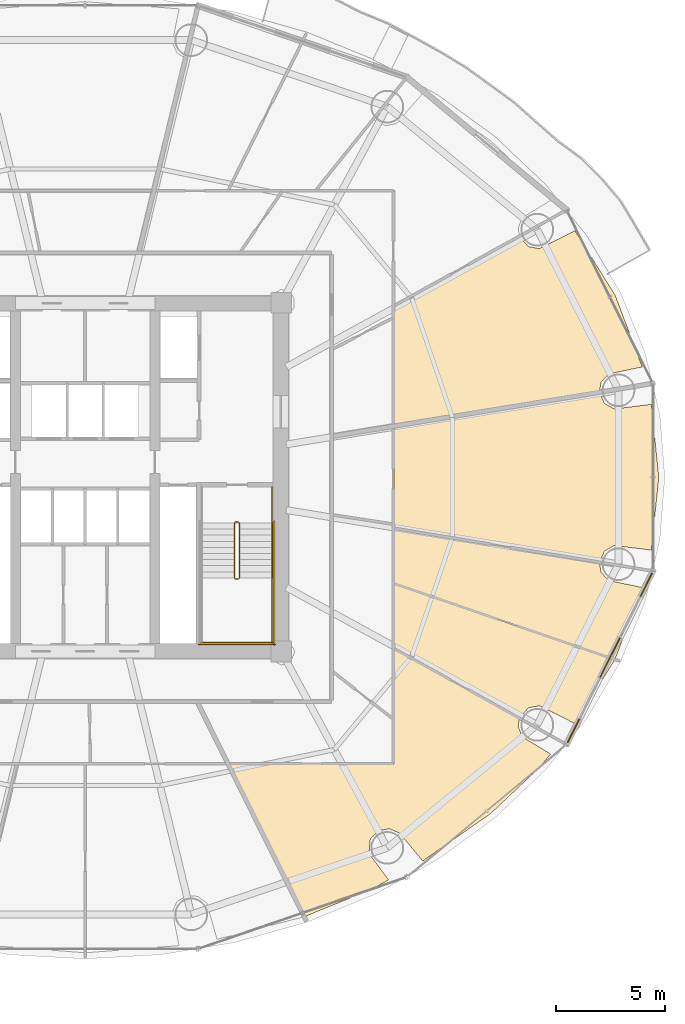
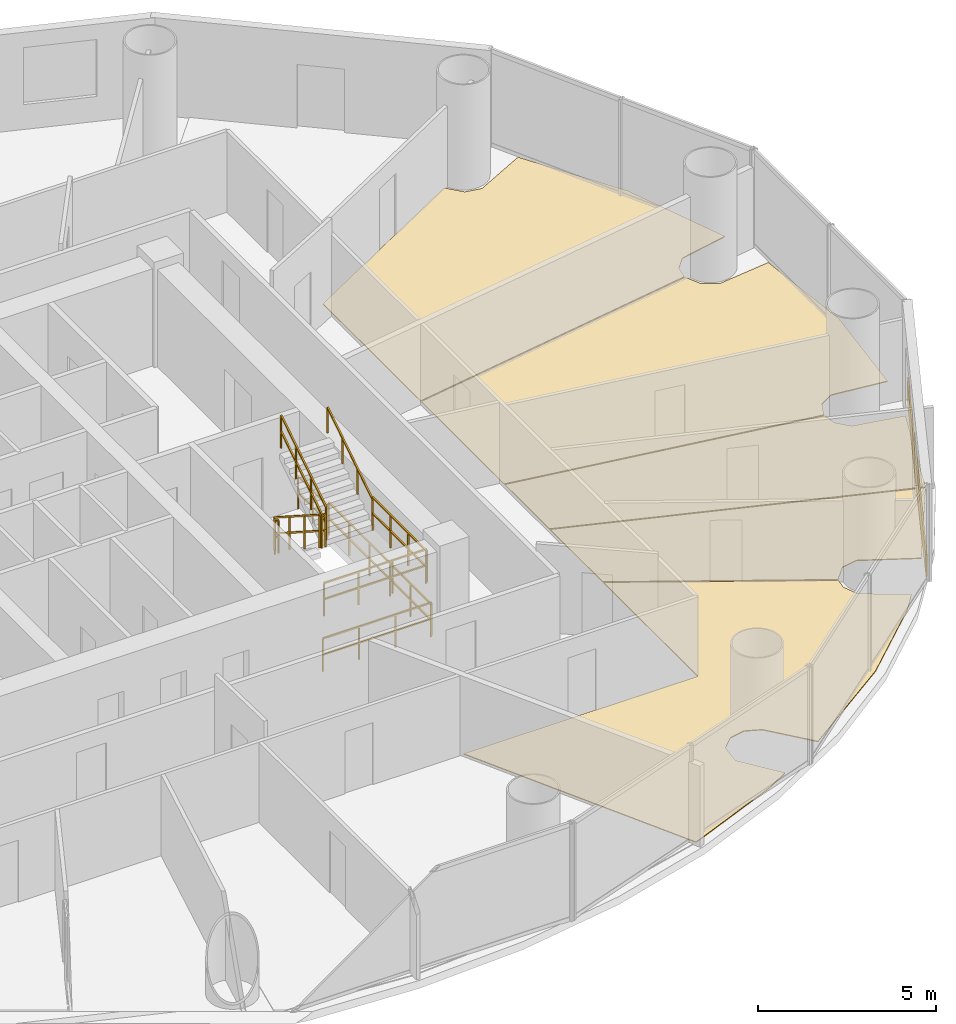
# One storey, part 27 of 28: 10 railings, 6 coverings.
"""IFC4 building model written with IfcOpenShell, lengths in metres."""

from ifc_helpers import new_model, si_unit, direction, frame, origin, origin_2d, place, context, subcontext, project, spatial, polyline, rectangle, outline, extrude, source, transform, mapped, material, layer, layer_set, type_object, element, save


model = new_model("IFC4")

# Units and contexts
model_context = context("Model", 3, precision=1e-05, world=origin(), true_north=direction((-0.2419218956, 0.970295726276)))
body_context = subcontext(model_context, "Body", "Model", "MODEL_VIEW")
ifc_project = project(units=[si_unit("LENGTHUNIT", "METRE"), si_unit("AREAUNIT", "SQUARE_METRE"), si_unit("VOLUMEUNIT", "CUBIC_METRE"), si_unit("PLANEANGLEUNIT", "RADIAN"), si_unit("MASSUNIT", "GRAM", prefix="KILO")], contexts=[model_context])

# Site, building, storey
site_placement = place(None, origin())
site = spatial("IfcSite", under=ifc_project, at=site_placement, CompositionType="ELEMENT")
building_placement = place(site_placement, origin())
building = spatial("IfcBuilding", under=site, at=building_placement, Name="Cobrevalo Terracotta Tower", CompositionType="ELEMENT")
storey_placement = place(building_placement, frame((0.0, 0.0, 101.39990234375)))
storey = spatial("IfcBuildingStorey", under=building, at=storey_placement, Name="L26", CompositionType="ELEMENT", Elevation=101.39990234375)

# Coverings
ifc_material_1 = material(Name="Engineered Brazilian hardwood flooring", Category="wood")
ifc_layer_1 = layer(ifc_material_1, 0.028076171875)
ifc_layer_set_1 = layer_set([ifc_layer_1], Name="Engineered Brazilian hardwood flooring")
covering_type_1 = type_object("IfcCoveringType", Name="Engineered Hardwood Suite Flooring 28", PredefinedType="FLOORING", material=ifc_layer_set_1)
covering_1_placement = place(storey_placement, origin())
element("IfcCovering", 1, at=covering_1_placement, inside=storey, type_object=covering_type_1, Name="Flat L26A Living and Dining Room floor finish", PredefinedType="FLOORING", context=body_context, shape_type="SweptSolid", body=[
    extrude(outline(polyline([(62.317138671875, 35.14892578125), (63.564208984375, 31.859619140625), (62.00732421875, 31.537841796875), (61.669677734375, 31.154541015625), (61.597412109375, 30.719970703125), (52.1650390625, 29.1611328125), (52.1650390625, 34.640625), (57.9296875, 37.8408203125), (58.338134765625, 37.381103515625), (58.84033203125, 37.286376953125), (60.474853515625, 38.10546875), (62.317138671875, 35.14892578125)])), origin(), (0.0, 0.0, 1.0), 0.030029296875),
])
covering_2_placement = place(storey_placement, origin())
element("IfcCovering", 2, at=covering_2_placement, inside=storey, type_object=covering_type_1, Name="Flat L26E Living and Dining Room floor finish", PredefinedType="FLOORING", context=body_context, shape_type="SweptSolid", body=[
    extrude(outline(polyline([(56.6123046875, 11.372314453125), (53.488525390625, 9.193359375), (52.422119140625, 10.474853515625), (51.95068359375, 10.672119140625), (51.44921875, 10.573974609375), (51.086669921875, 10.2138671875), (51.0185546875, 9.543701171875), (51.92431640625, 8.32666015625), (51.161376953125, 7.904052734375), (48.07177734375, 6.64306640625), (44.5859375, 13.635009765625), (52.1650390625, 13.635009765625), (52.1650390625, 18.91357421875), (57.916259765625, 15.720703125), (57.868408203125, 15.361328125), (58.05908203125, 14.88720703125), (59.35302734375, 14.102294921875), (58.882080078125, 13.518310546875), (56.6123046875, 11.372314453125)])), origin(), (0.0, 0.0, 1.0), 0.030029296875),
])
covering_3_placement = place(storey_placement, origin())
element("IfcCovering", 3, at=covering_3_placement, inside=storey, type_object=covering_type_1, Name="Flat L26E Master Bedroom floor finish", PredefinedType="FLOORING", context=body_context, shape_type="SweptSolid", body=[
    extrude(outline(polyline([(60.474853515625, 15.49462890625), (58.84033203125, 16.3134765625), (58.338134765625, 16.218994140625), (57.9296875, 15.759033203125), (52.1650390625, 18.959228515625), (52.1650390625, 21.904052734375), (62.296875, 18.417236328125), (60.474853515625, 15.49462890625)])), origin(), (0.0, 0.0, 1.0), 0.030029296875),
])
covering_4_placement = place(storey_placement, origin())
element("IfcCovering", 4, at=covering_4_placement, inside=storey, type_object=covering_type_1, Name="Flat L26E Principal Guest Bedroom floor finish", PredefinedType="FLOORING", context=body_context, shape_type="SweptSolid", body=[
    extrude(outline(polyline([(52.1650390625, 21.9462890625), (52.1650390625, 24.438720703125), (61.597412109375, 22.8798828125), (61.669677734375, 22.445556640625), (62.00732421875, 22.06201171875), (63.564208984375, 21.740478515625), (62.3154296875, 18.453369140625), (52.1650390625, 21.9462890625)])), origin(), (0.0, 0.0, 1.0), 0.030029296875),
])
covering_5_placement = place(storey_placement, origin())
element("IfcCovering", 5, at=covering_5_placement, inside=storey, type_object=covering_type_1, Name="Flat L26E Penthouse Family Lounge floor finish", PredefinedType="FLOORING", context=body_context, shape_type="SweptSolid", body=[
    extrude(outline(polyline([(61.60302734375, 30.680419921875), (61.8271484375, 30.189208984375), (62.26904296875, 29.932861328125), (63.975830078125, 30.143310546875), (64.31982421875, 26.800048828125), (63.975830078125, 23.45654296875), (62.26904296875, 23.6669921875), (61.8271484375, 23.41064453125), (61.60302734375, 22.919677734375), (52.1650390625, 24.479248046875), (52.1650390625, 29.12060546875), (61.60302734375, 30.680419921875)])), origin(), (0.0, 0.0, 1.0), 0.030029296875),
])

# Railings
ifc_material_2 = material(Name="Brushed stainless steel", Category="steel")
railing_type_1 = type_object("IfcRailingType", Name="Stainless Steel Stair Handrail 900", PredefinedType="HANDRAIL", material=ifc_material_2)
railing_1_placement = place(storey_placement, frame((46.574951171875, 22.179931640625, 1.97998046875)))
element("IfcRailing", 6, at=railing_1_placement, inside=storey, type_object=railing_type_1, Name="L26 ST-2 stair handrail 2", PredefinedType="HANDRAIL", context=body_context, shape_type="SweptSolid", body=[
    extrude(rectangle(XDim=0.048095703125, YDim=0.048095703125, at=origin_2d()), frame((0.0, 0.0, 0.8759765625), z_axis=(0.0, 0.841162588446, 0.540782303519), x_axis=(-1.0, 0.0, 0.0)), (0.0, 0.0, 1.0), 2.995849609375),
    extrude(rectangle(XDim=0.0419921875, YDim=0.0419921875, at=origin_2d()), origin(), (0.0, 0.0, 1.0), 0.851806640625),
    extrude(rectangle(XDim=0.0419921875, YDim=0.0419921875, at=origin_2d()), frame((0.0, 0.840087890625, 0.5400390625)), (0.0, 0.0, 1.0), 0.851806640625),
    extrude(rectangle(XDim=0.0419921875, YDim=0.0419921875, at=origin_2d()), frame((0.0, 1.679931640625, 1.080078125)), (0.0, 0.0, 1.0), 0.851806640625),
    extrude(rectangle(XDim=0.0419921875, YDim=0.0419921875, at=origin_2d()), frame((0.0, 2.52001953125, 1.6201171875)), (0.0, 0.0, 1.0), 0.851806640625),
])
ifc_material_3 = material(Name="Painted galvanized steel", Category="steel")
railing_type_2 = type_object("IfcRailingType", Name="Stair Well Guard Balustrade 1150", PredefinedType="GUARDRAIL", material=ifc_material_3)
railing_2_placement = place(storey_placement, frame((44.85498046875, 24.699951171875, 0.18017578125)))
element("IfcRailing", 7, at=railing_2_placement, inside=storey, type_object=railing_type_2, Name="L26 ST-2 stair guard 1", PredefinedType="GUARDRAIL", context=body_context, shape_type="SweptSolid", body=[
    extrude(rectangle(XDim=0.048095703125, YDim=0.048095703125, at=origin_2d()), frame((0.0, 0.0, 1.1259765625), z_axis=(0.0, -0.841199657755, 0.540724639528), x_axis=(1.0, 0.0, 0.0)), (0.0, 0.0, 1.0), 2.995849609375),
    extrude(rectangle(XDim=0.048095703125, YDim=0.048095703125, at=origin_2d()), frame((0.0, 0.0, 0.574951171875), z_axis=(0.0, -0.841199657755, 0.540724639528), x_axis=(1.0, 0.0, 0.0)), (0.0, 0.0, 1.0), 2.995849609375),
    extrude(rectangle(XDim=0.0419921875, YDim=0.0419921875, at=origin_2d()), origin(), (0.0, 0.0, 1.0), 1.101806640625),
    extrude(rectangle(XDim=0.0419921875, YDim=0.0419921875, at=origin_2d()), frame((0.0, -0.840087890625, 0.5400390625)), (0.0, 0.0, 1.0), 1.101806640625),
    extrude(rectangle(XDim=0.0419921875, YDim=0.0419921875, at=origin_2d()), frame((0.0, -1.679931640625, 1.079833984375)), (0.0, 0.0, 1.0), 1.101806640625),
    extrude(rectangle(XDim=0.0419921875, YDim=0.0419921875, at=origin_2d()), frame((0.0, -2.52001953125, 1.619873046875)), (0.0, 0.0, 1.0), 1.101806640625),
])
railing_3_placement = place(storey_placement, frame((44.905029296875, 22.1298828125, 1.800048828125)))
element("IfcRailing", 8, at=railing_3_placement, inside=storey, type_object=railing_type_2, Name="L26 ST-2 stair guard 2", PredefinedType="GUARDRAIL", context=body_context, shape_type="SweptSolid", body=[
    extrude(rectangle(XDim=0.048095703125, YDim=0.048095703125, at=origin_2d()), frame((0.0, 0.0, 1.1259765625), z_axis=(1.0, 0.0, 0.0), x_axis=(0.0, 1.0, 0.0)), (0.0, 0.0, 1.0), 0.119873046875),
    extrude(rectangle(XDim=0.048095703125, YDim=0.048095703125, at=origin_2d()), frame((0.0, 0.0, 0.574951171875), z_axis=(1.0, 0.0, 0.0), x_axis=(0.0, 1.0, 0.0)), (0.0, 0.0, 1.0), 0.119873046875),
    extrude(rectangle(XDim=0.0419921875, YDim=0.0419921875, at=origin_2d()), origin(), (0.0, 0.0, 1.0), 1.101806640625),
    extrude(rectangle(XDim=0.0419921875, YDim=0.0419921875, at=origin_2d()), frame((0.119873046875, 0.0, 0.0)), (0.0, 0.0, 1.0), 1.101806640625),
])
railing_4_placement = place(storey_placement, frame((46.574951171875, 22.179931640625, 1.800048828125)))
element("IfcRailing", 9, at=railing_4_placement, inside=storey, type_object=railing_type_2, Name="L26 ST-2 stair guard 4", PredefinedType="GUARDRAIL", context=body_context, shape_type="SweptSolid", body=[
    extrude(rectangle(XDim=0.048095703125, YDim=0.048095703125, at=origin_2d()), frame((0.0, 0.0, 1.1259765625), z_axis=(0.0, -1.0, 0.0), x_axis=(1.0, 0.0, 0.0)), (0.0, 0.0, 1.0), 3.0048828125),
    extrude(rectangle(XDim=0.048095703125, YDim=0.048095703125, at=origin_2d()), frame((0.0, 0.0, 0.574951171875), z_axis=(0.0, -1.0, 0.0), x_axis=(1.0, 0.0, 0.0)), (0.0, 0.0, 1.0), 3.0048828125),
    extrude(rectangle(XDim=0.0419921875, YDim=0.0419921875, at=origin_2d()), origin(), (0.0, 0.0, 1.0), 1.101806640625),
    extrude(rectangle(XDim=0.0419921875, YDim=0.0419921875, at=origin_2d()), frame((0.0, -1.001708984375, 0.0)), (0.0, 0.0, 1.0), 1.101806640625),
    extrude(rectangle(XDim=0.0419921875, YDim=0.0419921875, at=origin_2d()), frame((0.0, -2.003173828125, 0.0)), (0.0, 0.0, 1.0), 1.101806640625),
    extrude(rectangle(XDim=0.0419921875, YDim=0.0419921875, at=origin_2d()), frame((0.0, -3.0048828125, 0.0)), (0.0, 0.0, 1.0), 1.101806640625),
])
railing_5_placement = place(storey_placement, frame((43.304931640625, 19.22509765625, 1.800048828125)))
element("IfcRailing", 10, at=railing_5_placement, inside=storey, type_object=railing_type_2, Name="L26 ST-2 stair guard 5", PredefinedType="GUARDRAIL", context=body_context, shape_type="SweptSolid", body=[
    extrude(rectangle(XDim=0.048095703125, YDim=0.048095703125, at=origin_2d()), frame((0.0, 0.0, 1.1259765625), z_axis=(1.0, 0.0, 0.0), x_axis=(0.0, 1.0, 0.0)), (0.0, 0.0, 1.0), 3.320068359375),
    extrude(rectangle(XDim=0.048095703125, YDim=0.048095703125, at=origin_2d()), frame((0.0, 0.0, 0.574951171875), z_axis=(1.0, 0.0, 0.0), x_axis=(0.0, 1.0, 0.0)), (0.0, 0.0, 1.0), 3.320068359375),
    extrude(rectangle(XDim=0.0419921875, YDim=0.0419921875, at=origin_2d()), origin(), (0.0, 0.0, 1.0), 1.101806640625),
    extrude(rectangle(XDim=0.0419921875, YDim=0.0419921875, at=origin_2d()), frame((1.106689453125, 0.0, 0.0)), (0.0, 0.0, 1.0), 1.101806640625),
    extrude(rectangle(XDim=0.0419921875, YDim=0.0419921875, at=origin_2d()), frame((2.21337890625, 0.0, 0.0)), (0.0, 0.0, 1.0), 1.101806640625),
    extrude(rectangle(XDim=0.0419921875, YDim=0.0419921875, at=origin_2d()), frame((3.320068359375, 0.0, 0.0)), (0.0, 0.0, 1.0), 1.101806640625),
])
railing_6_placement = place(storey_placement, frame((45.074951171875, 22.179931640625, 1.97998046875)))
element("IfcRailing", 11, at=railing_6_placement, inside=storey, type_object=railing_type_2, Name="L26 ST-2 stair guard 6", PredefinedType="GUARDRAIL", context=body_context, shape_type="SweptSolid", body=[
    extrude(rectangle(XDim=0.048095703125, YDim=0.048095703125, at=origin_2d()), frame((0.0, 0.0, 1.1259765625), z_axis=(0.0, 0.841162588446, 0.540782303519), x_axis=(-1.0, 0.0, 0.0)), (0.0, 0.0, 1.0), 2.995849609375),
    extrude(rectangle(XDim=0.048095703125, YDim=0.048095703125, at=origin_2d()), frame((0.0, 0.0, 0.574951171875), z_axis=(0.0, 0.841162588446, 0.540782303519), x_axis=(-1.0, 0.0, 0.0)), (0.0, 0.0, 1.0), 2.995849609375),
    extrude(rectangle(XDim=0.0419921875, YDim=0.0419921875, at=origin_2d()), origin(), (0.0, 0.0, 1.0), 1.101806640625),
    extrude(rectangle(XDim=0.0419921875, YDim=0.0419921875, at=origin_2d()), frame((0.0, 0.840087890625, 0.5400390625)), (0.0, 0.0, 1.0), 1.101806640625),
    extrude(rectangle(XDim=0.0419921875, YDim=0.0419921875, at=origin_2d()), frame((0.0, 1.679931640625, 1.080078125)), (0.0, 0.0, 1.0), 1.101806640625),
    extrude(rectangle(XDim=0.0419921875, YDim=0.0419921875, at=origin_2d()), frame((0.0, 2.52001953125, 1.6201171875)), (0.0, 0.0, 1.0), 1.101806640625),
])
railing_7_placement = place(storey_placement, frame((44.905029296875, 24.75, 0.0)))
element("IfcRailing", 12, at=railing_7_placement, inside=storey, type_object=railing_type_2, Name="L26 ST-2 stair guard 7", PredefinedType="GUARDRAIL", context=body_context, shape_type="SweptSolid", body=[
    extrude(rectangle(XDim=0.048095703125, YDim=0.048095703125, at=origin_2d()), frame((0.0, 0.0, 1.1259765625), z_axis=(1.0, 0.0, 0.0), x_axis=(0.0, 1.0, 0.0)), (0.0, 0.0, 1.0), 0.119873046875),
    extrude(rectangle(XDim=0.048095703125, YDim=0.048095703125, at=origin_2d()), frame((0.0, 0.0, 0.574951171875), z_axis=(1.0, 0.0, 0.0), x_axis=(0.0, 1.0, 0.0)), (0.0, 0.0, 1.0), 0.119873046875),
    extrude(rectangle(XDim=0.0419921875, YDim=0.0419921875, at=origin_2d()), origin(), (0.0, 0.0, 1.0), 1.101806640625),
    extrude(rectangle(XDim=0.0419921875, YDim=0.0419921875, at=origin_2d()), frame((0.119873046875, 0.0, 0.0)), (0.0, 0.0, 1.0), 1.101806640625),
])
railing_8_placement = place(storey_placement, frame((46.574951171875, 26.35009765625, 0.0)))
element("IfcRailing", 13, at=railing_8_placement, inside=storey, type_object=railing_type_2, Name="L26 ST-2 stair guard 9", PredefinedType="GUARDRAIL", context=body_context, shape_type="SweptSolid", body=[
    extrude(rectangle(XDim=0.048095703125, YDim=0.048095703125, at=origin_2d()), frame((0.0, 0.0, 1.1259765625), z_axis=(0.0, -1.0, 0.0), x_axis=(1.0, 0.0, 0.0)), (0.0, 0.0, 1.0), 1.650146484375),
    extrude(rectangle(XDim=0.048095703125, YDim=0.048095703125, at=origin_2d()), frame((0.0, 0.0, 0.574951171875), z_axis=(0.0, -1.0, 0.0), x_axis=(1.0, 0.0, 0.0)), (0.0, 0.0, 1.0), 1.650146484375),
    extrude(rectangle(XDim=0.0419921875, YDim=0.0419921875, at=origin_2d()), origin(), (0.0, 0.0, 1.0), 1.101806640625),
    extrude(rectangle(XDim=0.0419921875, YDim=0.0419921875, at=origin_2d()), frame((0.0, -0.8251953125, 0.0)), (0.0, 0.0, 1.0), 1.101806640625),
    extrude(rectangle(XDim=0.0419921875, YDim=0.0419921875, at=origin_2d()), frame((0.0, -1.650146484375, 0.0)), (0.0, 0.0, 1.0), 1.101806640625),
])
railing_9_placement = place(storey_placement, frame((46.675048828125, 24.800048828125, 0.0)))
element("IfcRailing", 14, at=railing_9_placement, inside=storey, type_object=railing_type_2, Name="L26 ST-2 stair guard 11", PredefinedType="GUARDRAIL", context=body_context, shape_type="SweptSolid", body=[
    extrude(rectangle(XDim=0.048095703125, YDim=0.048095703125, at=origin_2d()), frame((0.0, 0.0, 1.1259765625), z_axis=(0.0, -1.0, 0.0), x_axis=(1.0, 0.0, 0.0)), (0.0, 0.0, 1.0), 5.72509765625),
    extrude(rectangle(XDim=0.048095703125, YDim=0.048095703125, at=origin_2d()), frame((0.0, 0.0, 0.574951171875), z_axis=(0.0, -1.0, 0.0), x_axis=(1.0, 0.0, 0.0)), (0.0, 0.0, 1.0), 5.72509765625),
    extrude(rectangle(XDim=0.0419921875, YDim=0.0419921875, at=origin_2d()), origin(), (0.0, 0.0, 1.0), 1.101806640625),
    extrude(rectangle(XDim=0.0419921875, YDim=0.0419921875, at=origin_2d()), frame((0.0, -1.14501953125, 0.0)), (0.0, 0.0, 1.0), 1.101806640625),
    extrude(rectangle(XDim=0.0419921875, YDim=0.0419921875, at=origin_2d()), frame((0.0, -2.2900390625, 0.0)), (0.0, 0.0, 1.0), 1.101806640625),
    extrude(rectangle(XDim=0.0419921875, YDim=0.0419921875, at=origin_2d()), frame((0.0, -3.43505859375, 0.0)), (0.0, 0.0, 1.0), 1.101806640625),
    extrude(rectangle(XDim=0.0419921875, YDim=0.0419921875, at=origin_2d()), frame((0.0, -4.580078125, 0.0)), (0.0, 0.0, 1.0), 1.101806640625),
    extrude(rectangle(XDim=0.0419921875, YDim=0.0419921875, at=origin_2d()), frame((0.0, -5.72509765625, 0.0)), (0.0, 0.0, 1.0), 1.101806640625),
])
railing_10_placement = place(storey_placement, frame((43.205078125, 19.125, 0.0)))
element("IfcRailing", 15, at=railing_10_placement, inside=storey, type_object=railing_type_2, Name="L26 ST-2 stair guard 12", PredefinedType="GUARDRAIL", context=body_context, shape_type="SweptSolid", body=[
    extrude(rectangle(XDim=0.048095703125, YDim=0.048095703125, at=origin_2d()), frame((0.0, 0.0, 1.1259765625), z_axis=(1.0, 0.0, 0.0), x_axis=(0.0, 1.0, 0.0)), (0.0, 0.0, 1.0), 3.52001953125),
    extrude(rectangle(XDim=0.048095703125, YDim=0.048095703125, at=origin_2d()), frame((0.0, 0.0, 0.574951171875), z_axis=(1.0, 0.0, 0.0), x_axis=(0.0, 1.0, 0.0)), (0.0, 0.0, 1.0), 3.52001953125),
    extrude(rectangle(XDim=0.0419921875, YDim=0.0419921875, at=origin_2d()), origin(), (0.0, 0.0, 1.0), 1.101806640625),
    extrude(rectangle(XDim=0.0419921875, YDim=0.0419921875, at=origin_2d()), frame((1.17333984375, 0.0, 0.0)), (0.0, 0.0, 1.0), 1.101806640625),
    extrude(rectangle(XDim=0.0419921875, YDim=0.0419921875, at=origin_2d()), frame((2.3466796875, 0.0, 0.0)), (0.0, 0.0, 1.0), 1.101806640625),
    extrude(rectangle(XDim=0.0419921875, YDim=0.0419921875, at=origin_2d()), frame((3.52001953125, 0.0, 0.0)), (0.0, 0.0, 1.0), 1.101806640625),
])

# Covering
ifc_material_4 = material(Name="Glazed terracotta facade cladding tile", Category="masonry")
ifc_layer_2 = layer(ifc_material_4, 0.044921875)
ifc_layer_set_2 = layer_set([ifc_layer_2], Name="Glazed terracotta facade cladding tile")
covering_type_2 = type_object("IfcCoveringType", Name="Architectural terracotta rainscreen spandrel cladding 45 mm", PredefinedType="CLADDING", material=ifc_layer_set_2)
shared_shape = source(origin(), body_context, "Body", "SweptSolid", [
    extrude(rectangle(XDim=8.690185546875, YDim=0.044921875, at=origin_2d()), origin(), (0.0, 0.0, 1.0), 0.760009765625),
])
covering_6_placement = place(storey_placement, frame((62.075927734375, 18.516357421875, 0.0400390625), z_axis=(0.0, 0.0, 1.0), x_axis=(0.446261852127, 0.894902430065, 0.0)))
element("IfcCovering", 16, at=covering_6_placement, inside=storey, type_object=covering_type_2, Name="L26 terracotta spandrel cladding S15", PredefinedType="CLADDING", context=body_context, shape_type="MappedRepresentation", body=[
    mapped(shared_shape, transform((0.0, 0.0, 0.0), scale=1.0)),
])

save(model, "model.ifc")
